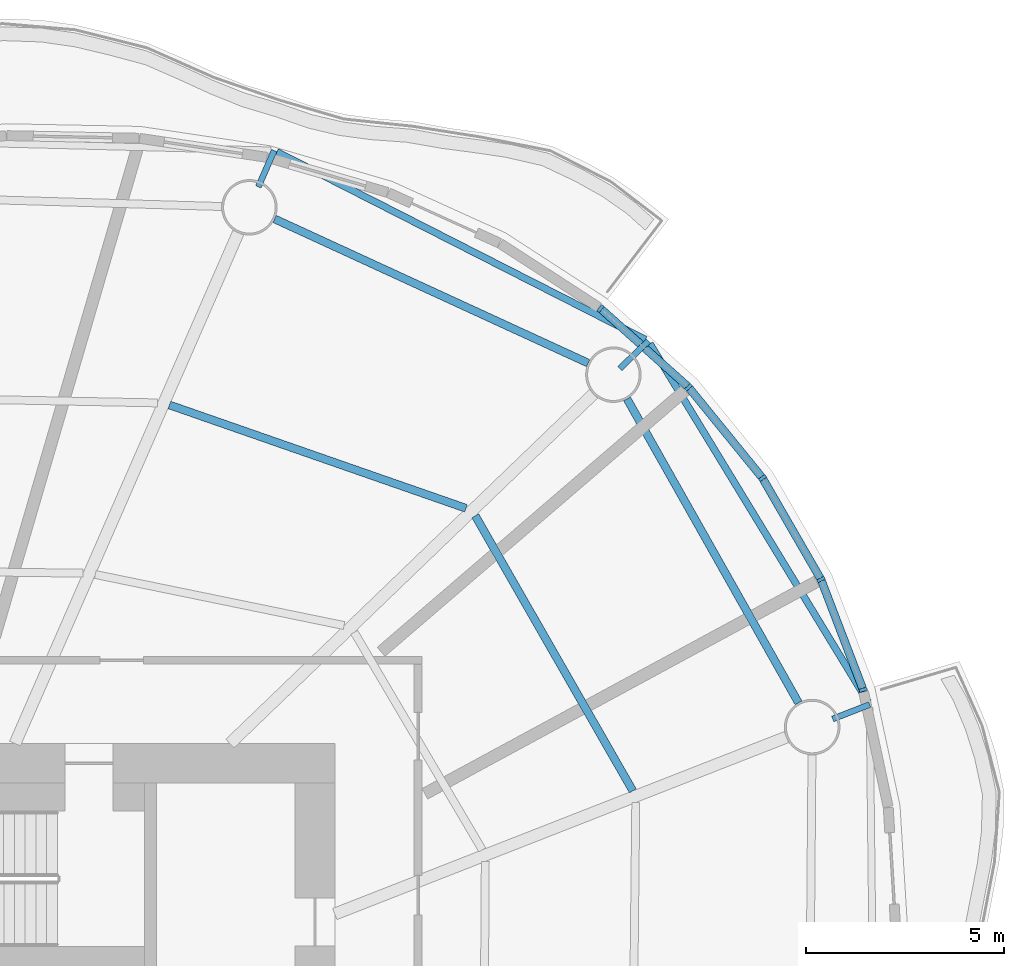
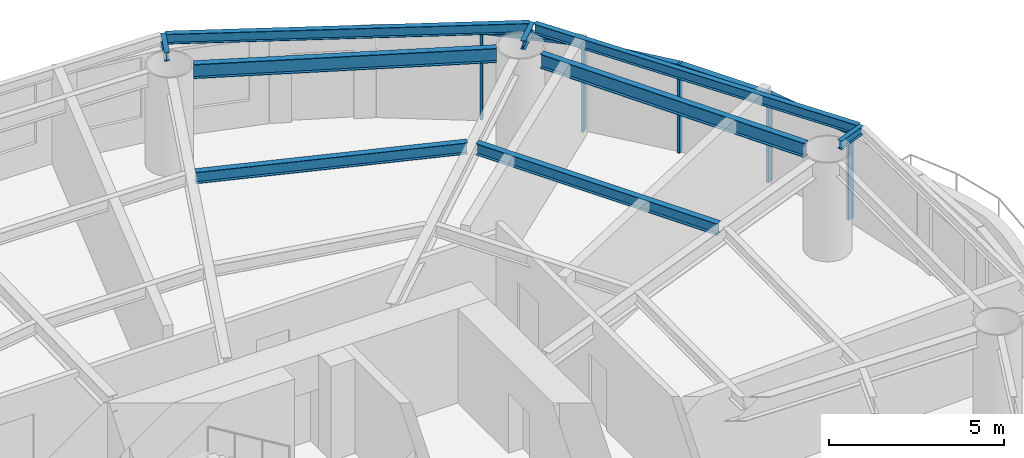
# One storey, part 6 of 14: 9 beams, 9 members, 4 elements without a shape of their own.
"""IFC4 building model written with IfcOpenShell, lengths in metres."""

from ifc_helpers import new_model, si_unit, direction, frame, origin, origin_2d, place, context, subcontext, project, spatial, rectangle, i_section, extrude, material, material_profile, profile_set, type_object, element, aggregate, save


model = new_model("IFC4")

# Units and contexts
model_context = context("Model", 3, precision=1e-05, world=origin(), true_north=direction((0.0, 1.0)))
body_context = subcontext(model_context, "Body", "Model", "MODEL_VIEW")
ifc_project = project(units=[si_unit("LENGTHUNIT", "METRE"), si_unit("AREAUNIT", "SQUARE_METRE"), si_unit("VOLUMEUNIT", "CUBIC_METRE"), si_unit("PLANEANGLEUNIT", "RADIAN"), si_unit("MASSUNIT", "GRAM", prefix="KILO")], contexts=[model_context])

# Site, building, storey
site_placement = place(None, origin())
site = spatial("IfcSite", under=ifc_project, at=site_placement, CompositionType="ELEMENT")
building_placement = place(site_placement, origin())
building = spatial("IfcBuilding", under=site, at=building_placement, Name="Vermilion Reach Broadcast Tower", CompositionType="ELEMENT")
storey_placement = place(building_placement, frame((0.0, 0.0, 172.199951171875)))
storey = spatial("IfcBuildingStorey", under=building, at=storey_placement, Name="L41", CompositionType="ELEMENT", Elevation=172.199951171875)

# Beams
ifc_material_1 = material(Name="Steel S355J2", Category="steel")
ifc_material_profile_1 = material_profile(ifc_material_1, i_section(OverallWidth=0.175048828125, OverallDepth=0.35009765625, WebThickness=0.007080078125, FlangeThickness=0.010986328125, at=origin_2d()), Name="S355J2 HN 350x175x7x11")
ifc_profile_set_1 = profile_set([ifc_material_profile_1], Name="Steel S355J2")
beam_type_1 = type_object("IfcBeamType", Name="EB3 HN 350x175x7x11", PredefinedType="BEAM", material=ifc_profile_set_1)
beam_1_placement = place(storey_placement, frame((13.8359375, 19.18603515625, 3.275146484375), z_axis=(-0.891061100948, 0.453883370898, 0.0), x_axis=(-0.453883370898, -0.891061100948, 0.0)))
element("IfcBeam", 1, at=beam_1_placement, inside=storey, type_object=beam_type_1, Name="Edge beam EB3-01", PredefinedType="BEAM", context=body_context, shape_type="SweptSolid", body=[
    extrude(i_section(OverallWidth=0.175048828125, OverallDepth=0.35009765625, WebThickness=0.007080078125, FlangeThickness=0.010986328125, at=origin_2d()), origin(), (0.0, 0.0, 1.0), 10.4345703125),
])
beam_2_placement = place(storey_placement, frame((19.44921875, 10.048828125, 3.275146484375), z_axis=(-0.520145336305, 0.854077765265, 0.0), x_axis=(-0.854077765265, -0.520145336305, 0.0)))
element("IfcBeam", 2, at=beam_2_placement, inside=storey, type_object=beam_type_1, Name="Edge beam EB3-16", PredefinedType="BEAM", context=body_context, shape_type="SweptSolid", body=[
    extrude(i_section(OverallWidth=0.175048828125, OverallDepth=0.35009765625, WebThickness=0.007080078125, FlangeThickness=0.010986328125, at=origin_2d()), origin(), (0.0, 0.0, 1.0), 10.5791015625),
])
ifc_material_2 = material(Name="Steel S355J2", Category="steel")
ifc_material_profile_2 = material_profile(ifc_material_2, i_section(OverallWidth=0.14990234375, OverallDepth=0.300048828125, WebThickness=0.006591796875, FlangeThickness=0.009033203125, at=origin_2d()), Name="S355J2 HN 300x150x6.5x9")
ifc_profile_set_2 = profile_set([ifc_material_profile_2], Name="Steel S355J2")
beam_type_2 = type_object("IfcBeamType", Name="GS3 HN 300x150x6.5x9", PredefinedType="BEAM", material=ifc_profile_set_2)
for number, where, z_axis, x_axis, name in (
    (3, (13.18603515625, 18.45654296875, 3.300048828125), (0.720645397388, 0.693303837595, 0.0), (-0.693303837595, 0.720645397388, 0.0), "Cantilever stub GS3-01"),
    (4, (4.07080078125, 23.0400390625, 3.300048828125), (0.400421736837, 0.916330962408, 0.0), (-0.916330962408, 0.400421736837, 0.0), "Cantilever stub GS3-02"),
    (5, (18.5576171875, 9.619140625, 3.300048828125), (0.931113051526, 0.364730702407, 0.0), (-0.364730702407, 0.931113051526, 0.0), "Cantilever stub GS3-16"),
):
    element("IfcBeam", number, at=place(storey_placement, frame(where, z_axis=z_axis, x_axis=x_axis)), inside=storey, type_object=beam_type_2, Name=name, PredefinedType="BEAM", context=body_context, shape_type="SweptSolid", body=[
        extrude(i_section(OverallWidth=0.14990234375, OverallDepth=0.300048828125, WebThickness=0.006591796875, FlangeThickness=0.009033203125, at=origin_2d()), origin(), (0.0, 0.0, 1.0), 1.0),
    ])
ifc_material_3 = material(Name="Steel S355J2", Category="steel")
ifc_material_profile_3 = material_profile(ifc_material_3, i_section(OverallWidth=0.199951171875, OverallDepth=0.5, WebThickness=0.010009765625, FlangeThickness=0.01611328125, at=origin_2d()), Name="S355J2 HN 500x200x10x16")
ifc_profile_set_3 = profile_set([ifc_material_profile_3], Name="Steel S355J2")
beam_type_3 = type_object("IfcBeamType", Name="RB3 HN 500x200x10x16", PredefinedType="BEAM", material=ifc_profile_set_3)
beam_3_placement = place(storey_placement, frame((12.389892578125, 18.594970703125, 3.199951171875), z_axis=(-0.908546241769, 0.417784306272, 0.0), x_axis=(-0.417784306272, -0.908546241769, 0.0)))
element("IfcBeam", 6, at=beam_3_placement, inside=storey, type_object=beam_type_3, Name="Ring beam RB3-01", PredefinedType="BEAM", context=body_context, shape_type="SweptSolid", body=[
    extrude(i_section(OverallWidth=0.199951171875, OverallDepth=0.5, WebThickness=0.010009765625, FlangeThickness=0.01611328125, at=origin_2d()), origin(), (0.0, 0.0, 1.0), 8.704833984375),
])
beam_4_placement = place(storey_placement, frame((17.696533203125, 10.026123046875, 3.199951171875), z_axis=(-0.491466825026, 0.870896296869, 0.0), x_axis=(-0.870896296869, -0.491466825026, 0.0)))
element("IfcBeam", 7, at=beam_4_placement, inside=storey, type_object=beam_type_3, Name="Ring beam RB3-16", PredefinedType="BEAM", context=body_context, shape_type="SweptSolid", body=[
    extrude(i_section(OverallWidth=0.199951171875, OverallDepth=0.5, WebThickness=0.010009765625, FlangeThickness=0.01611328125, at=origin_2d()), origin(), (0.0, 0.0, 1.0), 8.803466796875),
])
ifc_material_4 = material(Name="Steel S355J2", Category="steel")
ifc_material_profile_4 = material_profile(ifc_material_4, i_section(OverallWidth=0.199951171875, OverallDepth=0.39990234375, WebThickness=0.008056640625, FlangeThickness=0.012939453125, at=origin_2d()), Name="S355J2 HN 400x200x8x13")
ifc_profile_set_4 = profile_set([ifc_material_profile_4], Name="Steel S355J2")
beam_type_4 = type_object("IfcBeamType", Name="SB3 HN 400x200x8x13", PredefinedType="BEAM", material=ifc_profile_set_4)
beam_5_placement = place(storey_placement, frame((9.307373046875, 14.93359375, 3.25), z_axis=(-0.94431696779, 0.329037177754, 0.0), x_axis=(-0.329037177754, -0.94431696779, 0.0)))
element("IfcBeam", 8, at=beam_5_placement, inside=storey, type_object=beam_type_4, Name="Secondary beam SB3-01-2", PredefinedType="BEAM", context=body_context, shape_type="SweptSolid", body=[
    extrude(i_section(OverallWidth=0.199951171875, OverallDepth=0.39990234375, WebThickness=0.008056640625, FlangeThickness=0.012939453125, at=origin_2d()), origin(), (0.0, 0.0, 1.0), 7.91845703125),
])
beam_6_placement = place(storey_placement, frame((13.51708984375, 7.805908203125, 3.25), z_axis=(-0.497026503115, 0.867735360119, 0.0), x_axis=(-0.867735360119, -0.497026503115, 0.0)))
element("IfcBeam", 9, at=beam_6_placement, inside=storey, type_object=beam_type_4, Name="Secondary beam SB3-16-2", PredefinedType="BEAM", context=body_context, shape_type="SweptSolid", body=[
    extrude(i_section(OverallWidth=0.199951171875, OverallDepth=0.39990234375, WebThickness=0.008056640625, FlangeThickness=0.012939453125, at=origin_2d()), origin(), (0.0, 0.0, 1.0), 7.995849609375),
])

# Curtain wall, member
ifc_material_5 = material(Name="Low-e laminated clear glass in aluminium frame", Category="aluminium")
curtain_wall_type = type_object("IfcCurtainWallType", Name="Slot curtain wall", PredefinedType="NOTDEFINED", material=ifc_material_5)
placement = place(storey_placement, origin())
curtain_wall_1 = element("IfcCurtainWall", 10, at=placement, inside=storey, type_object=curtain_wall_type, Name="Slot curtain wall L41 46", PredefinedType="NOTDEFINED")
ifc_material_6 = material(Name="Anodised aluminium", Category="aluminium")
ifc_material_profile_5 = material_profile(ifc_material_6, rectangle(XDim=0.199951171875, YDim=0.080078125, at=origin_2d()), Name="Slot mullion 80 x 200")
ifc_profile_set_5 = profile_set([ifc_material_profile_5], Name="Anodised aluminium")
member_type_1 = type_object("IfcMemberType", Name="Slot mullion 80 x 200", PredefinedType="MULLION", material=ifc_profile_set_5)
member_1_placement = place(storey_placement, frame((19.325439453125, 10.35498046875, 0.0), z_axis=(0.0, 0.0, 1.0), x_axis=(-0.958886349771, -0.283790359638, 0.0)))
member_1 = element("IfcMember", 11, at=member_1_placement, type_object=member_type_1, Name="Slot mullion L41 46", PredefinedType="MULLION", context=body_context, shape_type="SweptSolid", body=[
    extrude(rectangle(XDim=0.199951171875, YDim=0.080078125, at=origin_2d()), origin(), (0.0, 0.0, 1.0), 3.10009765625),
])

curtain_wall_2 = element("IfcCurtainWall", 12, at=placement, inside=storey, type_object=curtain_wall_type, Name="Slot curtain wall L41 47", PredefinedType="NOTDEFINED")
member_2_placement = place(storey_placement, frame((18.261962890625, 13.137451171875, 0.0), z_axis=(0.0, 0.0, 1.0), x_axis=(-0.902952260159, -0.429740870612, 0.0)))
member_2 = element("IfcMember", 13, at=member_2_placement, type_object=member_type_1, Name="Slot mullion L41 47", PredefinedType="MULLION", context=body_context, shape_type="SweptSolid", body=[
    extrude(rectangle(XDim=0.199951171875, YDim=0.080078125, at=origin_2d()), origin(), (0.0, 0.0, 1.0), 3.10009765625),
])

curtain_wall_3 = element("IfcCurtainWall", 14, at=placement, inside=storey, type_object=curtain_wall_type, Name="Slot curtain wall L41 00", PredefinedType="NOTDEFINED")
member_3_placement = place(storey_placement, frame((16.785888671875, 15.695556640625, 0.0), z_axis=(0.0, 0.0, 1.0), x_axis=(-0.823532602836, -0.567268941566, 0.0)))
member_3 = element("IfcMember", 15, at=member_3_placement, type_object=member_type_1, Name="Slot mullion L41 00", PredefinedType="MULLION", context=body_context, shape_type="SweptSolid", body=[
    extrude(rectangle(XDim=0.199951171875, YDim=0.080078125, at=origin_2d()), origin(), (0.0, 0.0, 1.0), 3.10009765625),
])

# Curtain wall, members
curtain_wall_4 = element("IfcCurtainWall", 16, at=placement, inside=storey, type_object=curtain_wall_type, Name="Slot curtain wall L41 01", PredefinedType="NOTDEFINED")
member_4_placement = place(storey_placement, frame((14.922119140625, 17.986328125, 0.0), z_axis=(0.0, 0.0, 1.0), x_axis=(-0.723342174535, -0.690489752668, 0.0)))
member_4 = element("IfcMember", 17, at=member_4_placement, type_object=member_type_1, Name="Slot mullion L41 01", PredefinedType="MULLION", context=body_context, shape_type="SweptSolid", body=[
    extrude(rectangle(XDim=0.199951171875, YDim=0.080078125, at=origin_2d()), origin(), (0.0, 0.0, 1.0), 3.10009765625),
])
member_5_placement = place(storey_placement, frame((12.701416015625, 19.971435546875, 0.0), z_axis=(0.0, 0.0, 1.0), x_axis=(-0.606912076202, -0.79476898012, 0.0)))
member_5 = element("IfcMember", 18, at=member_5_placement, type_object=member_type_1, Name="Slot mullion L41 02", PredefinedType="MULLION", context=body_context, shape_type="SweptSolid", body=[
    extrude(rectangle(XDim=0.199951171875, YDim=0.080078125, at=origin_2d()), origin(), (0.0, 0.0, 1.0), 3.10009765625),
])

# Member
ifc_material_7 = material(Name="Anodised aluminium", Category="aluminium")
ifc_material_profile_6 = material_profile(ifc_material_7, rectangle(XDim=0.199951171875, YDim=0.10009765625, at=origin_2d()), Name="Slot transom 200 x 100")
ifc_profile_set_6 = profile_set([ifc_material_profile_6], Name="Anodised aluminium")
member_type_2 = type_object("IfcMemberType", Name="Slot transom 200 x 100", PredefinedType="USERDEFINED", material=ifc_profile_set_6)
member_6_placement = place(storey_placement, frame((19.31103515625, 10.392333984375, 3.050048828125), z_axis=(-0.356940787653, 0.934127011765, 0.0), x_axis=(-0.934127011765, -0.356940787653, 0.0)))
member_6 = element("IfcMember", 19, at=member_6_placement, type_object=member_type_2, Name="Slot transom L41 46.1", ObjectType="TRANSOM", PredefinedType="USERDEFINED", context=body_context, shape_type="SweptSolid", body=[
    extrude(rectangle(XDim=0.199951171875, YDim=0.10009765625, at=origin_2d()), origin(), (0.0, 0.0, 1.0), 2.898681640625),
])

aggregate(curtain_wall_1, [member_1, member_6])

member_7_placement = place(storey_placement, frame((18.241943359375, 13.172119140625, 3.050048828125), z_axis=(-0.499776393889, 0.866154464349, 0.0), x_axis=(-0.866154464349, -0.499776393889, 0.0)))
member_7 = element("IfcMember", 20, at=member_7_placement, type_object=member_type_2, Name="Slot transom L41 47.1", ObjectType="TRANSOM", PredefinedType="USERDEFINED", context=body_context, shape_type="SweptSolid", body=[
    extrude(rectangle(XDim=0.199951171875, YDim=0.10009765625, at=origin_2d()), origin(), (0.0, 0.0, 1.0), 2.873291015625),
])

aggregate(curtain_wall_2, [member_2, member_7])

member_8_placement = place(storey_placement, frame((16.7607421875, 15.7265625, 3.050048828125), z_axis=(-0.631139460011, 0.775669376743, 0.0), x_axis=(-0.775669376743, -0.631139460011, 0.0)))
member_8 = element("IfcMember", 21, at=member_8_placement, type_object=member_type_2, Name="Slot transom L41 00.1", ObjectType="TRANSOM", PredefinedType="USERDEFINED", context=body_context, shape_type="SweptSolid", body=[
    extrude(rectangle(XDim=0.199951171875, YDim=0.10009765625, at=origin_2d()), origin(), (0.0, 0.0, 1.0), 2.873291015625),
])

aggregate(curtain_wall_3, [member_3, member_8])

member_9_placement = place(storey_placement, frame((14.89208984375, 18.012939453125, 3.050048828125), z_axis=(-0.745505602567, 0.666499359746, 0.0), x_axis=(-0.666499359746, -0.745505602567, 0.0)))
member_9 = element("IfcMember", 22, at=member_9_placement, type_object=member_type_2, Name="Slot transom L41 01.1", ObjectType="TRANSOM", PredefinedType="USERDEFINED", context=body_context, shape_type="SweptSolid", body=[
    extrude(rectangle(XDim=0.199951171875, YDim=0.10009765625, at=origin_2d()), origin(), (0.0, 0.0, 1.0), 2.8984375),
])

aggregate(curtain_wall_4, [member_4, member_5, member_9])

save(model, "model.ifc")
